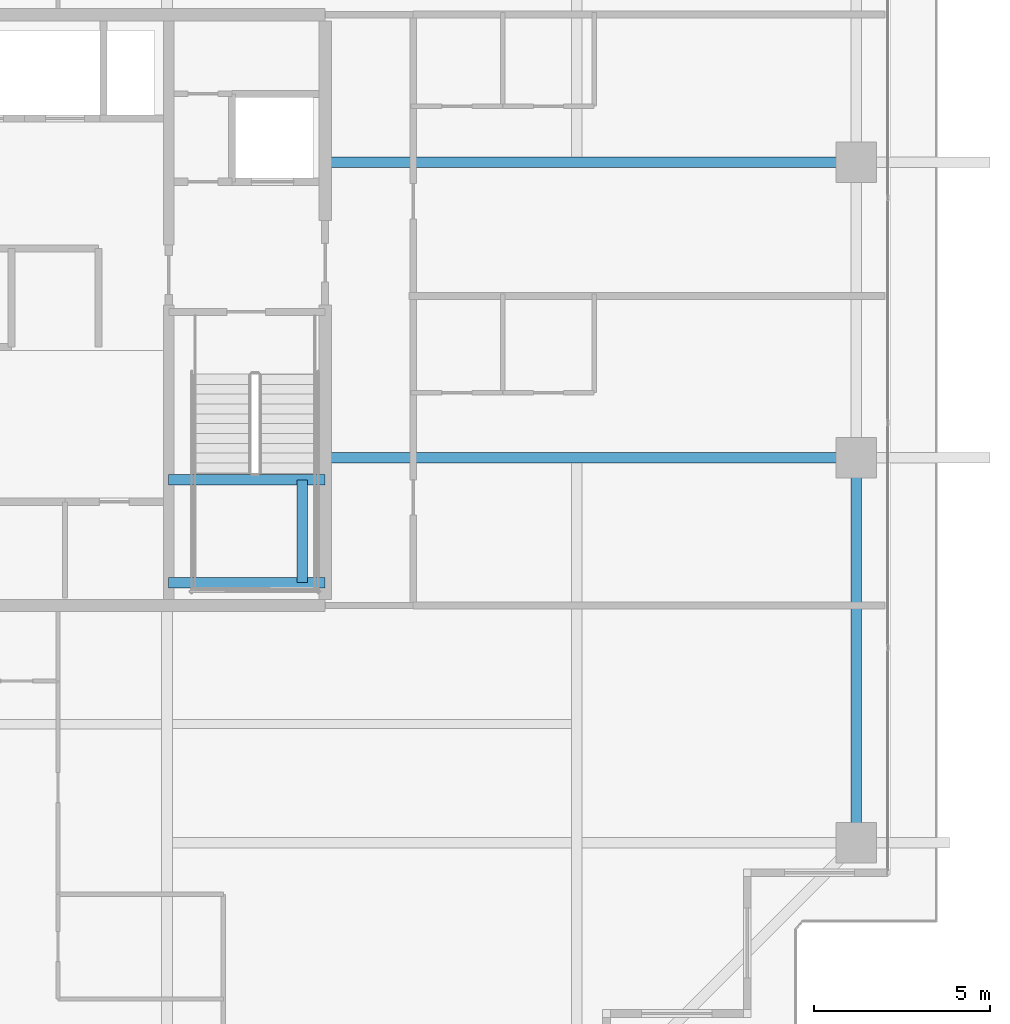
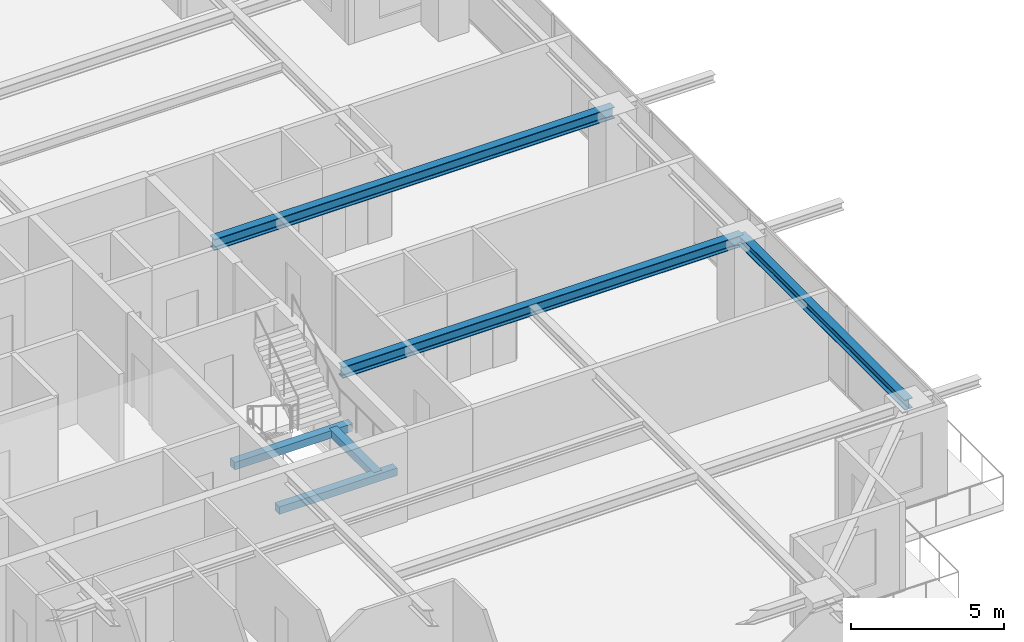
# One storey, part 15 of 36: 6 beams.
"""IFC4 building model written with IfcOpenShell, lengths in metres."""

from ifc_helpers import new_model, si_unit, direction, frame, origin, origin_2d, place, context, subcontext, project, spatial, rectangle, i_section, extrude, source, transform, mapped, material, material_profile, profile_set, type_object, element, save


model = new_model("IFC4")

# Units and contexts
model_context = context("Model", 3, precision=1e-05, world=origin(), true_north=direction((0.0, 1.0)))
body_context = subcontext(model_context, "Body", "Model", "MODEL_VIEW")
ifc_project = project(units=[si_unit("LENGTHUNIT", "METRE"), si_unit("AREAUNIT", "SQUARE_METRE"), si_unit("VOLUMEUNIT", "CUBIC_METRE"), si_unit("PLANEANGLEUNIT", "RADIAN"), si_unit("MASSUNIT", "GRAM", prefix="KILO")], contexts=[model_context])

# Site, building, storey
site_placement = place(None, origin())
site = spatial("IfcSite", under=ifc_project, at=site_placement, CompositionType="ELEMENT")
building_placement = place(site_placement, origin())
building = spatial("IfcBuilding", under=site, at=building_placement, Name="Serunith Strait Residences", CompositionType="ELEMENT")
storey_placement = place(building_placement, frame((0.0, 0.0, 272.050048828125)))
storey = spatial("IfcBuildingStorey", under=building, at=storey_placement, Name="L68", CompositionType="ELEMENT", Elevation=272.050048828125)

# Beams
ifc_material_1 = material(Name="Steel S355J2", Category="steel")
ifc_material_profile_1 = material_profile(ifc_material_1, i_section(OverallWidth=0.300048828125, OverallDepth=0.449951171875, WebThickness=0.013916015625, FlangeThickness=0.02587890625, FilletRadius=0.027099609375, at=origin_2d()), Name="HEB 450")
ifc_profile_set_1 = profile_set([ifc_material_profile_1], Name="Steel S355J2")
beam_type_1 = type_object("IfcBeamType", Name="BM-HEB450", PredefinedType="BEAM", material=ifc_profile_set_1)
shared_shape_1 = source(origin(), body_context, "Body", "SweptSolid", [
    extrude(i_section(OverallWidth=0.300048828125, OverallDepth=0.449951171875, WebThickness=0.013916015625, FlangeThickness=0.02587890625, FilletRadius=0.027099609375, at=origin_2d()), origin(), (0.0, 0.0, 1.0), 15.10009765625),
])
for number, where, z_axis, x_axis, name in (
    (1, (41.39990234375, 21.0, 3.362060546875), (1.0, 0.0, 0.0), (0.0, 1.0, 0.0), "L68 Primary Floor Girder TC-E2"),
    (2, (41.39990234375, 29.39990234375, 3.362060546875), (1.0, 0.0, 0.0), (0.0, 1.0, 0.0), "L68 Primary Floor Girder TC-E3"),
):
    element("IfcBeam", number, at=place(storey_placement, frame(where, z_axis=z_axis, x_axis=x_axis)), inside=storey, type_object=beam_type_1, Name=name, PredefinedType="BEAM", context=body_context, shape_type="MappedRepresentation", body=[
        mapped(shared_shape_1, transform((0.0, 0.0, 0.0), scale=1.0)),
    ])
ifc_material_profile_2 = material_profile(ifc_material_1, i_section(OverallWidth=0.300048828125, OverallDepth=0.39990234375, WebThickness=0.013427734375, FlangeThickness=0.02392578125, FilletRadius=0.027099609375, at=origin_2d()), Name="HEB 400")
ifc_profile_set_2 = profile_set([ifc_material_profile_2], Name="Steel S355J2")
beam_type_2 = type_object("IfcBeamType", Name="BM-HEB400", PredefinedType="BEAM", material=ifc_profile_set_2)
shared_shape_2 = source(origin(), body_context, "Body", "SweptSolid", [
    extrude(i_section(OverallWidth=0.300048828125, OverallDepth=0.39990234375, WebThickness=0.013427734375, FlangeThickness=0.02392578125, FilletRadius=0.027099609375, at=origin_2d()), origin(), (0.0, 0.0, 1.0), 10.949951171875),
])
beam_1_placement = place(storey_placement, frame((56.5, 10.050048828125, 3.386962890625), z_axis=(0.0, 1.0, 0.0), x_axis=(-1.0, 0.0, 0.0)))
element("IfcBeam", 3, at=beam_1_placement, inside=storey, type_object=beam_type_2, Name="L68 Perimeter Ring Beam 05", PredefinedType="BEAM", context=body_context, shape_type="MappedRepresentation", body=[
    mapped(shared_shape_2, transform((0.0, 0.0, 0.0), scale=1.0)),
])
ifc_material_2 = material(Name="Concrete C60/75", Category="concrete")
ifc_material_profile_3 = material_profile(ifc_material_2, rectangle(XDim=0.300048828125, YDim=0.300048828125, at=origin_2d()), Name="RC 300x300")
ifc_profile_set_3 = profile_set([ifc_material_profile_3], Name="Concrete C60/75")
beam_type_3 = type_object("IfcBeamType", Name="BM-LAND-300x300", PredefinedType="BEAM", material=ifc_profile_set_3)
shared_shape_3 = source(origin(), body_context, "Body", "SweptSolid", [
    extrude(rectangle(XDim=0.300048828125, YDim=0.300048828125, at=origin_2d()), origin(), (0.0, 0.0, 1.0), 4.449951171875),
])
for number, where, z_axis, x_axis, name in (
    (4, (36.949951171875, 17.449951171875, 1.574951171875), (1.0, 0.0, 0.0), (0.0, 1.0, 0.0), "L68 ST-2 Landing Support Beam 1"),
    (5, (36.949951171875, 20.3701171875, 1.574951171875), (1.0, 0.0, 0.0), (0.0, 1.0, 0.0), "L68 ST-2 Landing Support Beam 2"),
):
    element("IfcBeam", number, at=place(storey_placement, frame(where, z_axis=z_axis, x_axis=x_axis)), inside=storey, type_object=beam_type_3, Name=name, PredefinedType="BEAM", context=body_context, shape_type="MappedRepresentation", body=[
        mapped(shared_shape_3, transform((0.0, 0.0, 0.0), scale=1.0)),
    ])
shared_shape_4 = source(origin(), body_context, "Body", "SweptSolid", [
    extrude(rectangle(XDim=0.300048828125, YDim=0.300048828125, at=origin_2d()), origin(), (0.0, 0.0, 1.0), 2.920166015625),
])
beam_2_placement = place(storey_placement, frame((40.75, 17.449951171875, 1.574951171875), z_axis=(0.0, 1.0, 0.0), x_axis=(-1.0, 0.0, 0.0)))
element("IfcBeam", 6, at=beam_2_placement, inside=storey, type_object=beam_type_3, Name="L68 ST-2 Landing Transverse Tie Beam", PredefinedType="BEAM", context=body_context, shape_type="MappedRepresentation", body=[
    mapped(shared_shape_4, transform((0.0, 0.0, 0.0), scale=1.0)),
])

save(model, "model.ifc")
